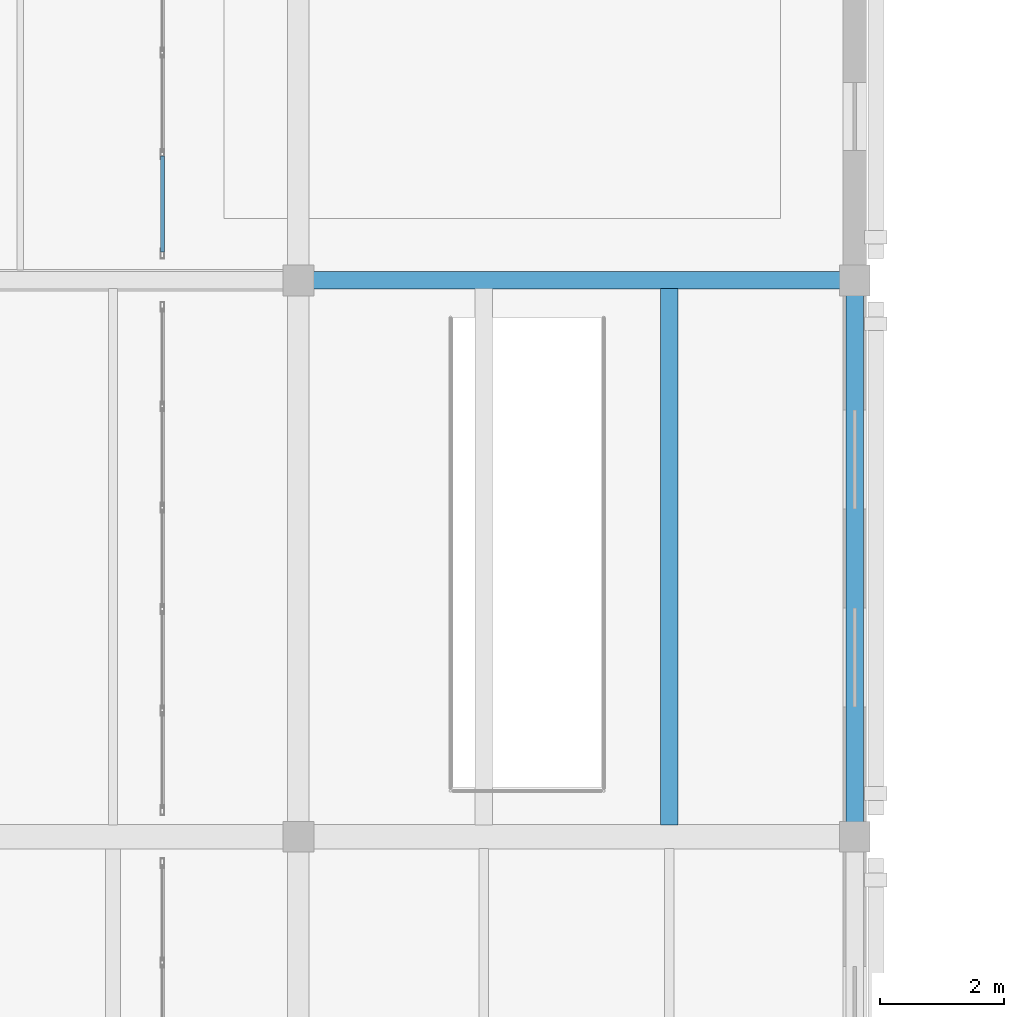
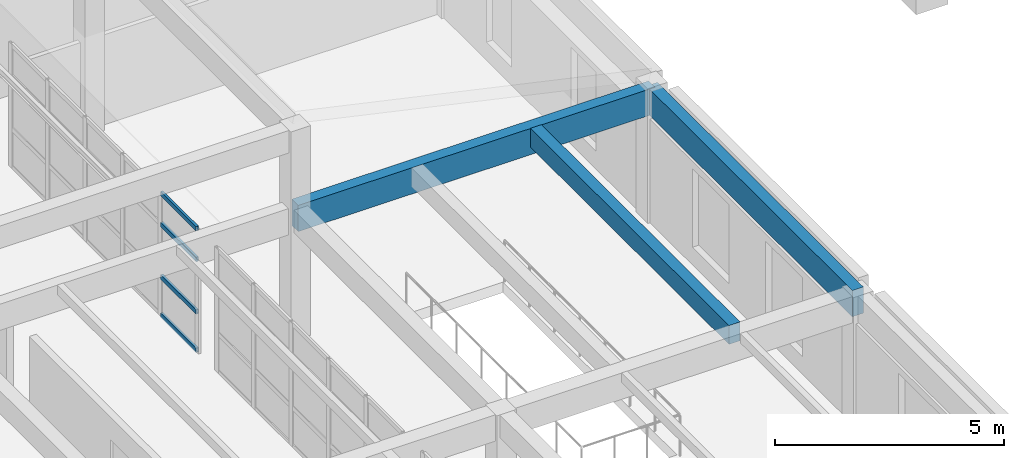
# One storey, part 20 of 156: 4 members, 3 beams, 1 element without a shape of its own.
"""IFC4 building model written with IfcOpenShell, lengths in metres."""

from ifc_helpers import new_model, si_unit, direction, frame, origin, origin_2d, place, context, subcontext, project, spatial, rectangle, hollow_rectangle, extrude, material, layer, layer_set, material_profile, profile_set, type_object, element, aggregate, save


model = new_model("IFC4")

# Units and contexts
model_context = context("Model", 3, precision=1e-05, world=origin(), true_north=direction((0.0, 1.0)))
body_context = subcontext(model_context, "Body", "Model", "MODEL_VIEW")
ifc_project = project(units=[si_unit("LENGTHUNIT", "METRE"), si_unit("AREAUNIT", "SQUARE_METRE"), si_unit("VOLUMEUNIT", "CUBIC_METRE"), si_unit("PLANEANGLEUNIT", "RADIAN"), si_unit("MASSUNIT", "GRAM", prefix="KILO")], contexts=[model_context])

# Site, building, storey
site_placement = place(None, origin())
site = spatial("IfcSite", under=ifc_project, at=site_placement, CompositionType="ELEMENT")
building_placement = place(site_placement, origin())
building = spatial("IfcBuilding", under=site, at=building_placement, Name="Ornek Quay Market", CompositionType="ELEMENT")
storey_placement = place(building_placement, frame((0.0, 0.0, 4.5)))
storey = spatial("IfcBuildingStorey", under=building, at=storey_placement, Name="L01", CompositionType="ELEMENT", Elevation=4.5)

# Beams
ifc_material_1 = material(Name="Concrete C35/45", Category="concrete")
ifc_material_profile_1 = material_profile(ifc_material_1, rectangle(XDim=0.280029296875, YDim=0.5, at=origin_2d()), Name="RC 280x500", Category="concrete")
ifc_profile_set_1 = profile_set([ifc_material_profile_1], Name="Concrete C35/45")
beam_type_1 = type_object("IfcBeamType", Name="BM-SEC-280x500", PredefinedType="JOIST", material=ifc_profile_set_1)
beam_placement = place(storey_placement, frame((24.0, 56.19189453125, 3.22998046875), z_axis=(0.0, 1.0, 0.0), x_axis=(-1.0, 0.0, 0.0)))
element("IfcBeam", 1, at=beam_placement, inside=storey, type_object=beam_type_1, Name="Secondary joist B-SC2-038", PredefinedType="JOIST", context=body_context, shape_type="SweptSolid", body=[
    extrude(rectangle(XDim=0.280029296875, YDim=0.5, at=origin_2d()), origin(), (0.0, 0.0, 1.0), 8.676025390625),
])
ifc_material_profile_2 = material_profile(ifc_material_1, rectangle(XDim=0.280029296875, YDim=0.699951171875, at=origin_2d()), Name="RC 280x700", Category="concrete")
ifc_profile_set_2 = profile_set([ifc_material_profile_2], Name="Concrete C35/45")
beam_type_2 = type_object("IfcBeamType", Name="BM-SPN-280x700", PredefinedType="SPANDREL", material=ifc_profile_set_2)
for number, where, z_axis, x_axis, name in (
    (2, (18.0, 65.0, 3.1298828125), (1.0, 0.0, 0.0), (0.0, 1.0, 0.0), "Primary beam B-SP2-006"),
    (3, (27.0, 56.0, 3.1298828125), (0.0, 1.0, 0.0), (-1.0, 0.0, 0.0), "Primary beam B-SP2-016"),
):
    element("IfcBeam", number, at=place(storey_placement, frame(where, z_axis=z_axis, x_axis=x_axis)), inside=storey, type_object=beam_type_2, Name=name, PredefinedType="SPANDREL", context=body_context, shape_type="SweptSolid", body=[
        extrude(rectangle(XDim=0.280029296875, YDim=0.699951171875, at=origin_2d()), origin(), (0.0, 0.0, 1.0), 9.0),
    ])

# Curtain wall, members
ifc_material_2 = material(Name="Anodised bronze aluminium and triple low-e glass", Category="aluminium")
ifc_layer = layer(ifc_material_2, 0.179931640625, Name="Anodised bronze aluminium and triple low-e glass", Category="aluminium")
ifc_layer_set = layer_set([ifc_layer], Name="Anodised bronze aluminium and triple low-e glass")
curtain_wall_type = type_object("IfcCurtainWallType", Name="CW-CONC-MOD1500", PredefinedType="USERDEFINED", material=ifc_layer_set)
curtain_wall_placement = place(storey_placement, origin())
curtain_wall = element("IfcCurtainWall", 4, at=curtain_wall_placement, inside=storey, type_object=curtain_wall_type, Name="Curtain wall CW-141", ObjectType="CURTAIN WALL", PredefinedType="USERDEFINED")
ifc_material_3 = material(Name="Anodised aluminium 6063-T6", Category="aluminium")
ifc_material_profile_3 = material_profile(ifc_material_3, hollow_rectangle(XDim=0.06005859375, YDim=0.1201171875, WallThickness=0.00390625, at=origin_2d()), Name="CW-TRN-60x120", Category="aluminium")
ifc_profile_set_3 = profile_set([ifc_material_profile_3], Name="Anodised aluminium 6063-T6")
member_type = type_object("IfcMemberType", Name="CW-TRN-60x120", PredefinedType="USERDEFINED", material=ifc_profile_set_3)
member_1_placement = place(storey_placement, frame((15.800048828125, 65.4599609375, 0.030029296875), z_axis=(0.0, 1.0, 0.0), x_axis=(-1.0, 0.0, 0.0)))
member_1 = element("IfcMember", 5, at=member_1_placement, type_object=member_type, Name="CW-141 transom 1.1", ObjectType="TRANSOM", PredefinedType="USERDEFINED", context=body_context, shape_type="SweptSolid", body=[
    extrude(hollow_rectangle(XDim=0.06005859375, YDim=0.1201171875, WallThickness=0.00390625, at=origin_2d()), origin(), (0.0, 0.0, 1.0), 1.550048828125),
])
member_2_placement = place(storey_placement, frame((15.800048828125, 65.4599609375, 1.050048828125), z_axis=(0.0, 1.0, 0.0), x_axis=(-1.0, 0.0, 0.0)))
member_2 = element("IfcMember", 6, at=member_2_placement, type_object=member_type, Name="CW-141 transom 1.2", ObjectType="TRANSOM", PredefinedType="USERDEFINED", context=body_context, shape_type="SweptSolid", body=[
    extrude(hollow_rectangle(XDim=0.06005859375, YDim=0.1201171875, WallThickness=0.00390625, at=origin_2d()), origin(), (0.0, 0.0, 1.0), 1.550048828125),
])
member_3_placement = place(storey_placement, frame((15.800048828125, 65.4599609375, 2.449951171875), z_axis=(0.0, 1.0, 0.0), x_axis=(-1.0, 0.0, 0.0)))
member_3 = element("IfcMember", 7, at=member_3_placement, type_object=member_type, Name="CW-141 transom 1.3", ObjectType="TRANSOM", PredefinedType="USERDEFINED", context=body_context, shape_type="SweptSolid", body=[
    extrude(hollow_rectangle(XDim=0.06005859375, YDim=0.1201171875, WallThickness=0.00390625, at=origin_2d()), origin(), (0.0, 0.0, 1.0), 1.550048828125),
])
member_4_placement = place(storey_placement, frame((15.800048828125, 65.4599609375, 3.27001953125), z_axis=(0.0, 1.0, 0.0), x_axis=(-1.0, 0.0, 0.0)))
member_4 = element("IfcMember", 8, at=member_4_placement, type_object=member_type, Name="CW-141 transom 1.4", ObjectType="TRANSOM", PredefinedType="USERDEFINED", context=body_context, shape_type="SweptSolid", body=[
    extrude(hollow_rectangle(XDim=0.06005859375, YDim=0.1201171875, WallThickness=0.00390625, at=origin_2d()), origin(), (0.0, 0.0, 1.0), 1.550048828125),
])
aggregate(curtain_wall, [member_1, member_2, member_3, member_4])

save(model, "model.ifc")
